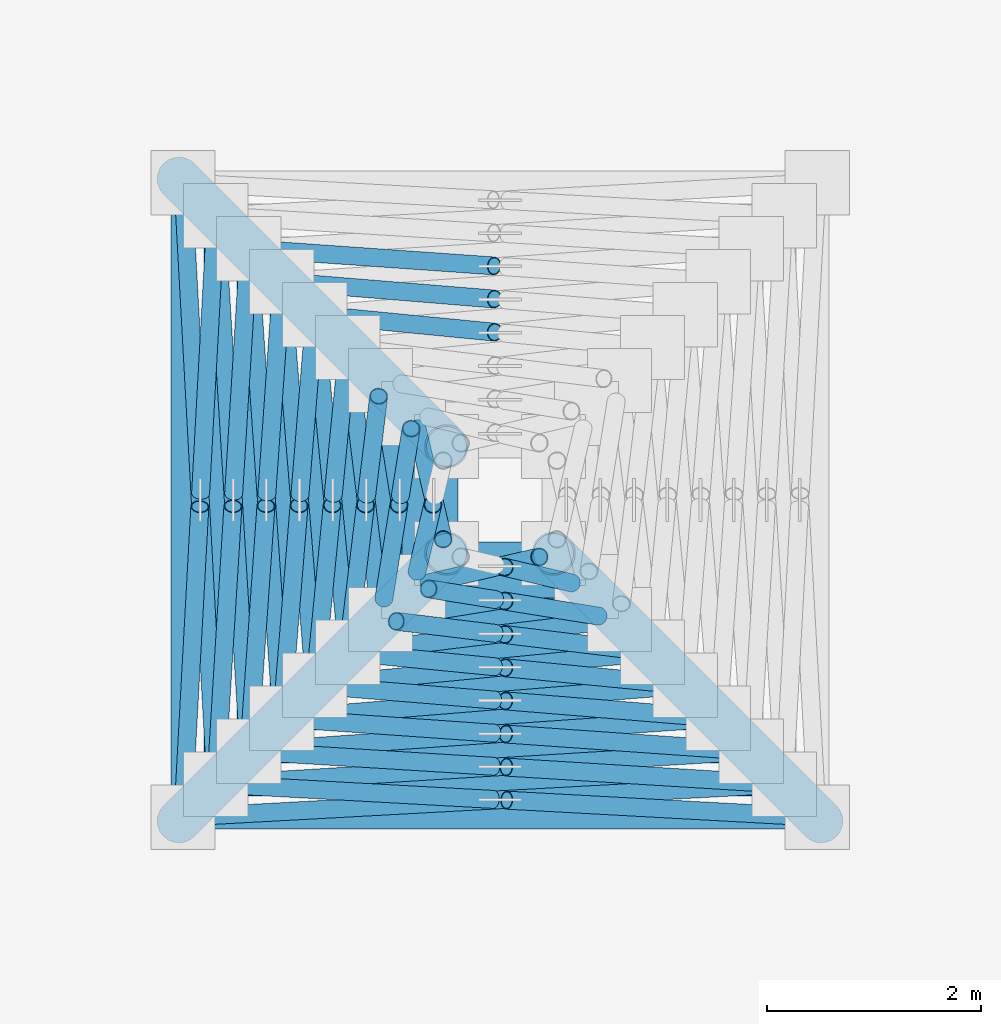
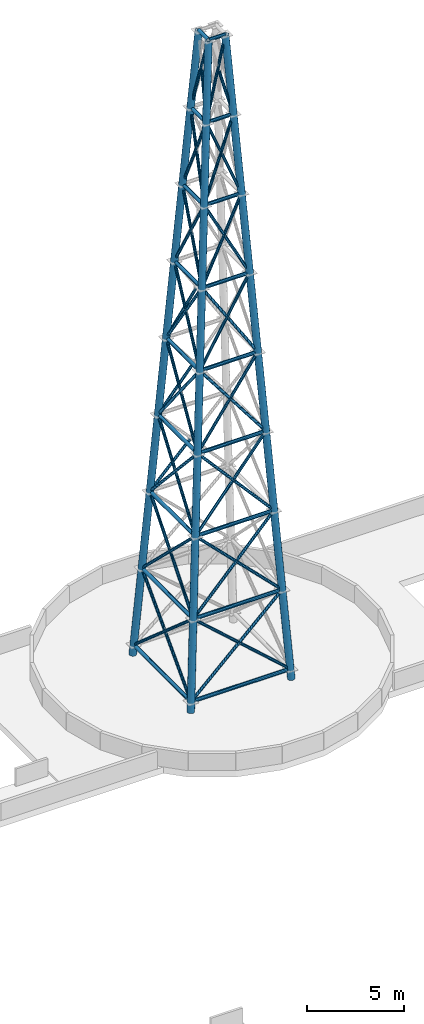
# One storey, part 1 of 6: 70 members.
"""IFC4 building model written with IfcOpenShell, lengths in metres."""

import ifcopenshell
import ifcopenshell.guid

model = None  # the IFC model being written
_history = None  # IfcOwnerHistory: only IFC2X3 demands one
_inside = {}  # id of a spatial element -> (the spatial element, [elements in it])
_under = {}  # id of a project, library or spatial element -> (it, [spatial elements below it])
_declared = {}  # id of a project -> (the project, [libraries it declares])
_typed = {}  # id of a type object -> (the type object, [elements of that type])
_made_of = {}  # id of a material, layer set ... -> (it, [elements and type objects made of it])


def new_model(schema):
    """Start an empty IFC model of exactly this schema.

    Asked for "IFC4X3", IfcOpenShell would pick the latest addendum, in which some entities
    have other attributes; the version numbers below select the first issue.
    IFC2X3 requires an IfcOwnerHistory on every rooted entity: one is made here for all.
    """
    global model, _history
    if schema == "IFC4X3":
        model = ifcopenshell.file(schema_version=(4, 3, 0, 0))
    else:
        model = ifcopenshell.file(schema=schema)
    _inside.clear()
    _under.clear()
    _declared.clear()
    _typed.clear()
    _made_of.clear()
    _history = None
    if model.schema == "IFC2X3":
        org = make("IfcOrganization", Name="unknown")
        user = make(
            "IfcPersonAndOrganization",
            ThePerson=make("IfcPerson", FamilyName="unknown"),
            TheOrganization=org,
        )
        app = make(
            "IfcApplication",
            ApplicationDeveloper=org,
            Version="unknown",
            ApplicationFullName="unknown",
            ApplicationIdentifier="unknown",
        )
        _history = make(
            "IfcOwnerHistory",
            OwningUser=user,
            OwningApplication=app,
            ChangeAction="ADDED",
            CreationDate=0,
        )
    return model


def make(cls, **values):
    """One entity of the class cls with the attributes given. An attribute that is None is left unset."""
    return model.create_entity(
        cls, **{name: value for name, value in values.items() if value is not None}
    )


def rooted(cls, **values):
    """An entity with a GlobalId (a new one), such as an element, a storey or a relation."""
    return make(cls, GlobalId=ifcopenshell.guid.new(), OwnerHistory=_history, **values)


def si_unit(unit_type, name, prefix=None):
    """IfcSIUnit, for example si_unit("LENGTHUNIT", "METRE", prefix="MILLI")."""
    return make("IfcSIUnit", UnitType=unit_type, Prefix=prefix, Name=name)


def assignment(units):
    """IfcUnitAssignment: the units of a project."""
    return None if units is None else make("IfcUnitAssignment", Units=units)


def point(xyz):
    """IfcCartesianPoint."""
    return None if xyz is None else make("IfcCartesianPoint", Coordinates=xyz)


def direction(xyz):
    """IfcDirection."""
    return None if xyz is None else make("IfcDirection", DirectionRatios=xyz)


def frame(location, z_axis=None, x_axis=None):
    """IfcAxis2Placement3D, a coordinate frame: its origin and axes. An axis left out is left unset."""
    return make(
        "IfcAxis2Placement3D",
        Location=point(location),
        Axis=direction(z_axis),
        RefDirection=direction(x_axis),
    )


def frame_2d(location, x_axis=None):
    """IfcAxis2Placement2D, a coordinate frame in the plane: its origin and x axis."""
    return make(
        "IfcAxis2Placement2D", Location=point(location), RefDirection=direction(x_axis)
    )


def origin():
    """The frame at (0, 0, 0) with its axes left unset."""
    return frame((0.0, 0.0, 0.0))


def origin_2d():
    """The frame at (0, 0) in the plane with its x axis left unset."""
    return frame_2d((0.0, 0.0))


def place(relative_to, where):
    """IfcLocalPlacement: puts the frame where relative to a parent placement (None: the world)."""
    return make(
        "IfcLocalPlacement", PlacementRelTo=relative_to, RelativePlacement=where
    )


def context(
    kind, dimensions, precision=None, world=None, true_north=None, identifier=None
):
    """IfcGeometricRepresentationContext, for example the 3D "Model" context."""
    return make(
        "IfcGeometricRepresentationContext",
        ContextIdentifier=identifier,
        ContextType=kind,
        CoordinateSpaceDimension=dimensions,
        Precision=precision,
        WorldCoordinateSystem=world,
        TrueNorth=true_north,
    )


def subcontext(parent, identifier, kind, view, scale=None):
    """IfcGeometricRepresentationSubContext, for example "Body" below "Model"."""
    return make(
        "IfcGeometricRepresentationSubContext",
        ContextIdentifier=identifier,
        ContextType=kind,
        ParentContext=parent,
        TargetScale=scale,
        TargetView=view,
    )


def project(units=None, contexts=None):
    """IfcProject with its units and contexts."""
    return rooted(
        "IfcProject",
        Name="project",
        RepresentationContexts=contexts,
        UnitsInContext=assignment(units),
    )


def spatial(cls, under=None, at=None, **own):
    """A site, building, storey or space (cls), placed at a placement, below another one or the project."""
    s = rooted(cls, ObjectPlacement=at, **own)
    if under is not None:
        _under.setdefault(under.id(), (under, []))[1].append(s)
    return s


def profile(cls, at=None, kind="AREA", **sizes):
    """A parametric profile (cls). Its sizes go by their IFC names, for example OverallWidth=200.0."""
    return make(cls, ProfileType=kind, Position=at, **sizes)


def hollow_circle(**sizes):
    """IfcCircleHollowProfileDef."""
    return profile("IfcCircleHollowProfileDef", **sizes)


def extrude(swept, where, along, depth):
    """IfcExtrudedAreaSolid: the profile swept, set in the frame where, extruded along a direction by depth."""
    return make(
        "IfcExtrudedAreaSolid",
        SweptArea=swept,
        Position=where,
        ExtrudedDirection=direction(along),
        Depth=depth,
    )


def shape(context_of_items, identifier, shape_type, items):
    """IfcShapeRepresentation: the items that make up one representation, for example the "Body"."""
    return make(
        "IfcShapeRepresentation",
        ContextOfItems=context_of_items,
        RepresentationIdentifier=identifier,
        RepresentationType=shape_type,
        Items=items,
    )


def source(mapping_origin, context_of_items, identifier, shape_type, items):
    """IfcRepresentationMap: a shape defined once, which mapped items show again and again."""
    return make(
        "IfcRepresentationMap",
        MappingOrigin=mapping_origin,
        MappedRepresentation=shape(context_of_items, identifier, shape_type, items),
    )


def transform(
    local_origin,
    x_axis=None,
    y_axis=None,
    z_axis=None,
    scale=None,
    scale2=None,
    scale3=None,
    uniform=True,
):
    """IfcCartesianTransformationOperator3D, or its non-uniform kind. x_axis, y_axis, z_axis: its Axis1, 2, 3."""
    if uniform:
        return make(
            "IfcCartesianTransformationOperator3D",
            Axis1=direction(x_axis),
            Axis2=direction(y_axis),
            LocalOrigin=point(local_origin),
            Scale=scale,
            Axis3=direction(z_axis),
        )
    return make(
        "IfcCartesianTransformationOperator3DnonUniform",
        Axis1=direction(x_axis),
        Axis2=direction(y_axis),
        LocalOrigin=point(local_origin),
        Scale=scale,
        Axis3=direction(z_axis),
        Scale2=scale2,
        Scale3=scale3,
    )


def mapped(mapping_source, mapping_target):
    """IfcMappedItem: shows the shape of a source again, moved by a transform."""
    return make(
        "IfcMappedItem", MappingSource=mapping_source, MappingTarget=mapping_target
    )


def material(Name=None, Category=None):
    """IfcMaterial."""
    return make("IfcMaterial", Name=Name, Category=Category)


def material_profile(
    of_material, cross_section, Name=None, Category=None, Priority=None
):
    """IfcMaterialProfile: a cross section and its material."""
    return make(
        "IfcMaterialProfile",
        Name=Name,
        Material=of_material,
        Profile=cross_section,
        Priority=Priority,
        Category=Category,
    )


def profile_set(profiles, Name=None, composite=None):
    """IfcMaterialProfileSet."""
    return make(
        "IfcMaterialProfileSet",
        Name=Name,
        MaterialProfiles=profiles,
        CompositeProfile=composite,
    )


def made_of(thing, what):
    """Note that an element or type object is made of a material, layer set ...; save() writes the relation."""
    if what is not None:
        _made_of.setdefault(what.id(), (what, []))[1].append(thing)
    return thing


def type_object(cls, material=None, **own):
    """A type object (cls), such as IfcWallType, which elements share."""
    return made_of(rooted(cls, **own), material)


def element(
    cls,
    number,
    at=None,
    inside=None,
    cuts=None,
    type_object=None,
    material=None,
    context=None,
    identifier="Body",
    shape_type=None,
    held_by="IfcProductDefinitionShape",
    body=None,
    shapes=None,
    **own,
):
    """One element of the class cls, such as IfcWall. Its Tag is "e" and its number.

    at: its placement. inside: the storey or other place that contains it. cuts: it is an
    opening in that element (IfcRelVoidsElement). A single representation is given by context,
    identifier, shape_type and body (its items); several are given by shapes. held_by: the class
    of the entity that holds the representations. save() writes the other relations.
    """
    e = rooted(cls, Tag="e%d" % number, ObjectPlacement=at, **own)
    if body is not None:
        shapes = [shape(context, identifier, shape_type, body)]
    if shapes is not None:
        e.Representation = make(held_by, Representations=shapes)
    if inside is not None:
        _inside.setdefault(inside.id(), (inside, []))[1].append(e)
    if cuts is not None:
        rooted(
            "IfcRelVoidsElement", RelatingBuildingElement=cuts, RelatedOpeningElement=e
        )
    if type_object is not None:
        _typed.setdefault(type_object.id(), (type_object, []))[1].append(e)
    return made_of(e, material)


def aggregate(whole, parts):
    """IfcRelAggregates: a whole, such as a stair, and the parts it consists of."""
    return rooted("IfcRelAggregates", RelatingObject=whole, RelatedObjects=parts)


def save(model, path):
    """Write the relations noted so far, then the file.

    IfcRelAggregates (storeys below a building ...), IfcRelContainedInSpatialStructure (elements
    in a storey), IfcRelDefinesByType, IfcRelAssociatesMaterial and IfcRelDeclares: one each for
    every whole, place, type object, material and project.
    """
    for whole, parts in _under.values():
        aggregate(whole, parts)
    for where, things in _inside.values():
        rooted(
            "IfcRelContainedInSpatialStructure",
            RelatedElements=things,
            RelatingStructure=where,
        )
    for kind, things in _typed.values():
        rooted("IfcRelDefinesByType", RelatedObjects=things, RelatingType=kind)
    for what, things in _made_of.values():
        rooted("IfcRelAssociatesMaterial", RelatedObjects=things, RelatingMaterial=what)
    for by, libraries in _declared.values():
        rooted("IfcRelDeclares", RelatingContext=by, RelatedDefinitions=libraries)
    model.write(path)


model = new_model("IFC4")

# Units and contexts
model_context = context("Model", 3, precision=1e-05, world=origin(), true_north=direction((0.0, 1.0)))
body_context = subcontext(model_context, "Body", "Model", "MODEL_VIEW")
ifc_project = project(units=[si_unit("LENGTHUNIT", "METRE"), si_unit("AREAUNIT", "SQUARE_METRE"), si_unit("VOLUMEUNIT", "CUBIC_METRE"), si_unit("PLANEANGLEUNIT", "RADIAN"), si_unit("MASSUNIT", "GRAM", prefix="KILO")], contexts=[model_context])

# Site, building, storey
site_placement = place(None, origin())
site = spatial("IfcSite", under=ifc_project, at=site_placement, CompositionType="ELEMENT")
building_placement = place(site_placement, origin())
building = spatial("IfcBuilding", under=site, at=building_placement, Name="Kilnfold Tower and Market Hall", CompositionType="ELEMENT")
storey_placement = place(building_placement, frame((0.0, 0.0, 328.800048828125)))
storey = spatial("IfcBuildingStorey", under=building, at=storey_placement, Name="ROOF", CompositionType="ELEMENT", Elevation=328.800048828125)

# Members
ifc_material_1 = material(Name="Steel S355", Category="steel")
ifc_material_profile_1 = material_profile(ifc_material_1, hollow_circle(Radius=0.203125, WallThickness=0.01611328125, at=origin_2d()), Name="CHS 406.4x16")
ifc_profile_set_1 = profile_set([ifc_material_profile_1], Name="Steel S355")
member_type_1 = type_object("IfcMemberType", Name="MAST LEG CHS 406.4X16", PredefinedType="USERDEFINED", material=ifc_profile_set_1)
shared_shape_1 = source(origin(), body_context, "Body", "SweptSolid", [
    extrude(hollow_circle(Radius=0.203125, WallThickness=0.01611328125, at=origin_2d()), origin(), (0.0, 0.0, 1.0), 40.156005859375),
])
for number, where, z_axis, x_axis, name in (
    (1, (-2.0, 12.0, 0.0), (0.062257280636, 0.062257280636, 0.996116490184), (-0.707106781187, 0.707106781187, 0.0), "Mast leg 1"),
    (2, (4.0, 12.0, 0.0), (-0.062257280636, 0.062257280636, 0.996116490184), (-0.707106781187, -0.707106781187, 0.0), "Mast leg 2"),
    (3, (-2.0, 18.0, 0.0), (0.062257280636, -0.062257280636, 0.996116490184), (0.707106781187, 0.707106781187, 0.0), "Mast leg 4"),
):
    element("IfcMember", number, at=place(storey_placement, frame(where, z_axis=z_axis, x_axis=x_axis)), inside=storey, type_object=member_type_1, Name=name, ObjectType="MAST", PredefinedType="USERDEFINED", context=body_context, shape_type="MappedRepresentation", body=[
        mapped(shared_shape_1, transform((0.0, 0.0, 0.0))),
    ])
ifc_material_2 = material(Name="Steel S355", Category="steel")
ifc_material_profile_2 = material_profile(ifc_material_2, hollow_circle(Radius=0.109619140625, WallThickness=0.010009765625, at=origin_2d()), Name="CHS 219.1x10")
ifc_profile_set_2 = profile_set([ifc_material_profile_2], Name="Steel S355")
member_type_2 = type_object("IfcMemberType", Name="CROWN FRAME CHS 219.1X10", PredefinedType="USERDEFINED", material=ifc_profile_set_2)
shared_shape_2 = source(origin(), body_context, "Body", "SweptSolid", [
    extrude(hollow_circle(Radius=0.109619140625, WallThickness=0.010009765625, at=origin_2d()), origin(), (0.0, 0.0, 1.0), 5.5224609375),
])
for number, where, z_axis, x_axis, name in (
    (4, (-1.76123046875, 12.03759765625, 0.599853515625), (1.0, 0.0, 0.0), (0.0, 1.0, 0.0), "Crown frame ring 0 1"),
    (5, (-1.96240234375, 17.76123046875, 0.599853515625), (0.0, -1.0, 0.0), (1.0, 0.0, 0.0), "Crown frame ring 0 4"),
):
    element("IfcMember", number, at=place(storey_placement, frame(where, z_axis=z_axis, x_axis=x_axis)), inside=storey, type_object=member_type_2, Name=name, ObjectType="CROWN FRAME", PredefinedType="USERDEFINED", context=body_context, shape_type="MappedRepresentation", body=[
        mapped(shared_shape_2, transform((0.0, 0.0, 0.0))),
    ])
ifc_material_3 = material(Name="Steel S355", Category="steel")
ifc_material_profile_3 = material_profile(ifc_material_3, hollow_circle(Radius=0.109619140625, WallThickness=0.010009765625, at=origin_2d()), Name="CHS 219.1x10")
ifc_profile_set_3 = profile_set([ifc_material_profile_3], Name="Steel S355")
member_type_3 = type_object("IfcMemberType", Name="MAST RING CHS 219.1X10", PredefinedType="USERDEFINED", material=ifc_profile_set_3)
shared_shape_3 = source(origin(), body_context, "Body", "SweptSolid", [
    extrude(hollow_circle(Radius=0.109619140625, WallThickness=0.010009765625, at=origin_2d()), origin(), (0.0, 0.0, 1.0), 4.9072265625),
])
for number, where, z_axis, x_axis, name in (
    (6, (-1.45361328125, 12.34521484375, 5.52490234375), (1.0, 0.0, 0.0), (0.0, 1.0, 0.0), "Mast ring 1 1"),
    (7, (-1.65478515625, 17.45361328125, 5.52490234375), (0.0, -1.0, 0.0), (1.0, 0.0, 0.0), "Mast ring 1 4"),
):
    element("IfcMember", number, at=place(storey_placement, frame(where, z_axis=z_axis, x_axis=x_axis)), inside=storey, type_object=member_type_3, Name=name, ObjectType="MAST", PredefinedType="USERDEFINED", context=body_context, shape_type="MappedRepresentation", body=[
        mapped(shared_shape_3, transform((0.0, 0.0, 0.0))),
    ])
shared_shape_4 = source(origin(), body_context, "Body", "SweptSolid", [
    extrude(hollow_circle(Radius=0.109619140625, WallThickness=0.010009765625, at=origin_2d()), origin(), (0.0, 0.0, 1.0), 4.29150390625),
])
for number, where, z_axis, x_axis, name in (
    (8, (-1.145751953125, 12.653076171875, 10.449951171875), (1.0, 0.0, 0.0), (0.0, 1.0, 0.0), "Mast ring 2 1"),
    (9, (-1.346923828125, 17.145751953125, 10.449951171875), (0.0, -1.0, 0.0), (1.0, 0.0, 0.0), "Mast ring 2 4"),
):
    element("IfcMember", number, at=place(storey_placement, frame(where, z_axis=z_axis, x_axis=x_axis)), inside=storey, type_object=member_type_3, Name=name, ObjectType="MAST", PredefinedType="USERDEFINED", context=body_context, shape_type="MappedRepresentation", body=[
        mapped(shared_shape_4, transform((0.0, 0.0, 0.0))),
    ])
shared_shape_5 = source(origin(), body_context, "Body", "SweptSolid", [
    extrude(hollow_circle(Radius=0.109619140625, WallThickness=0.010009765625, at=origin_2d()), origin(), (0.0, 0.0, 1.0), 3.67578125),
])
for number, where, z_axis, x_axis, name in (
    (10, (-0.837890625, 12.9609375, 15.375), (1.0, 0.0, 0.0), (0.0, 1.0, 0.0), "Mast ring 3 1"),
    (11, (-1.0390625, 16.837890625, 15.375), (0.0, -1.0, 0.0), (1.0, 0.0, 0.0), "Mast ring 3 4"),
):
    element("IfcMember", number, at=place(storey_placement, frame(where, z_axis=z_axis, x_axis=x_axis)), inside=storey, type_object=member_type_3, Name=name, ObjectType="MAST", PredefinedType="USERDEFINED", context=body_context, shape_type="MappedRepresentation", body=[
        mapped(shared_shape_5, transform((0.0, 0.0, 0.0))),
    ])
shared_shape_6 = source(origin(), body_context, "Body", "SweptSolid", [
    extrude(hollow_circle(Radius=0.109619140625, WallThickness=0.010009765625, at=origin_2d()), origin(), (0.0, 0.0, 1.0), 3.06005859375),
])
for number, where, z_axis, x_axis, name in (
    (12, (-0.530029296875, 13.268798828125, 20.300048828125), (1.0, 0.0, 0.0), (0.0, 1.0, 0.0), "Mast ring 4 1"),
    (13, (-0.731201171875, 16.530029296875, 20.300048828125), (0.0, -1.0, 0.0), (1.0, 0.0, 0.0), "Mast ring 4 4"),
):
    element("IfcMember", number, at=place(storey_placement, frame(where, z_axis=z_axis, x_axis=x_axis)), inside=storey, type_object=member_type_3, Name=name, ObjectType="MAST", PredefinedType="USERDEFINED", context=body_context, shape_type="MappedRepresentation", body=[
        mapped(shared_shape_6, transform((0.0, 0.0, 0.0))),
    ])
shared_shape_7 = source(origin(), body_context, "Body", "SweptSolid", [
    extrude(hollow_circle(Radius=0.109619140625, WallThickness=0.010009765625, at=origin_2d()), origin(), (0.0, 0.0, 1.0), 2.4443359375),
])
for number, where, z_axis, x_axis, name in (
    (14, (-0.22216796875, 13.57666015625, 25.224853515625), (1.0, 0.0, 0.0), (0.0, 1.0, 0.0), "Mast ring 5 1"),
    (15, (-0.42333984375, 16.22216796875, 25.224853515625), (0.0, -1.0, 0.0), (1.0, 0.0, 0.0), "Mast ring 5 4"),
):
    element("IfcMember", number, at=place(storey_placement, frame(where, z_axis=z_axis, x_axis=x_axis)), inside=storey, type_object=member_type_3, Name=name, ObjectType="MAST", PredefinedType="USERDEFINED", context=body_context, shape_type="MappedRepresentation", body=[
        mapped(shared_shape_7, transform((0.0, 0.0, 0.0))),
    ])
shared_shape_8 = source(origin(), body_context, "Body", "SweptSolid", [
    extrude(hollow_circle(Radius=0.109619140625, WallThickness=0.010009765625, at=origin_2d()), origin(), (0.0, 0.0, 1.0), 1.82861328125),
])
for number, where, z_axis, x_axis, name in (
    (16, (0.085693359375, 13.884521484375, 30.14990234375), (1.0, 0.0, 0.0), (0.0, 1.0, 0.0), "Mast ring 6 1"),
    (17, (-0.115478515625, 15.914306640625, 30.14990234375), (0.0, -1.0, 0.0), (1.0, 0.0, 0.0), "Mast ring 6 4"),
):
    element("IfcMember", number, at=place(storey_placement, frame(where, z_axis=z_axis, x_axis=x_axis)), inside=storey, type_object=member_type_3, Name=name, ObjectType="MAST", PredefinedType="USERDEFINED", context=body_context, shape_type="MappedRepresentation", body=[
        mapped(shared_shape_8, transform((0.0, 0.0, 0.0))),
    ])
shared_shape_9 = source(origin(), body_context, "Body", "SweptSolid", [
    extrude(hollow_circle(Radius=0.109619140625, WallThickness=0.010009765625, at=origin_2d()), origin(), (0.0, 0.0, 1.0), 1.21337890625),
])
for number, where, z_axis, x_axis, name in (
    (18, (0.393310546875, 14.192138671875, 35.074951171875), (1.0, 0.0, 0.0), (0.0, 1.0, 0.0), "Mast ring 7 1"),
    (19, (0.192138671875, 15.606689453125, 35.074951171875), (0.0, -1.0, 0.0), (1.0, 0.0, 0.0), "Mast ring 7 4"),
):
    element("IfcMember", number, at=place(storey_placement, frame(where, z_axis=z_axis, x_axis=x_axis)), inside=storey, type_object=member_type_3, Name=name, ObjectType="MAST", PredefinedType="USERDEFINED", context=body_context, shape_type="MappedRepresentation", body=[
        mapped(shared_shape_9, transform((0.0, 0.0, 0.0))),
    ])
shared_shape_10 = source(origin(), body_context, "Body", "SweptSolid", [
    extrude(hollow_circle(Radius=0.109619140625, WallThickness=0.010009765625, at=origin_2d()), origin(), (0.0, 0.0, 1.0), 1.0),
])
for number, where, z_axis, x_axis, name in (
    (20, (0.5, 14.5, 40.0), (1.0, 0.0, 0.0), (0.0, 1.0, 0.0), "Mast ring 8 1"),
    (21, (0.5, 15.5, 40.0), (0.0, -1.0, 0.0), (1.0, 0.0, 0.0), "Mast ring 8 4"),
):
    element("IfcMember", number, at=place(storey_placement, frame(where, z_axis=z_axis, x_axis=x_axis)), inside=storey, type_object=member_type_3, Name=name, ObjectType="MAST", PredefinedType="USERDEFINED", context=body_context, shape_type="MappedRepresentation", body=[
        mapped(shared_shape_10, transform((0.0, 0.0, 0.0))),
    ])
ifc_material_4 = material(Name="Steel S355", Category="steel")
ifc_material_profile_4 = material_profile(ifc_material_4, hollow_circle(Radius=0.084228515625, WallThickness=0.008056640625, at=origin_2d()), Name="CHS 168.3x8")
ifc_profile_set_4 = profile_set([ifc_material_profile_4], Name="Steel S355")
member_type_4 = type_object("IfcMemberType", Name="MAST BRACE CHS 168.3X8", PredefinedType="USERDEFINED", material=ifc_profile_set_4)
shared_shape_11 = source(origin(), body_context, "Body", "SweptSolid", [
    extrude(hollow_circle(Radius=0.084228515625, WallThickness=0.008056640625, at=origin_2d()), origin(), (0.0, 0.0, 1.0), 7.040283203125),
])
for number, where, z_axis, x_axis, name in (
    (22, (-1.78955078125, 12.047119140625, 0.751708984375), (0.751283318633, 0.041161933959, 0.658694975187), (-0.054706781594, 0.998502462715, 0.0), "Mast brace 1.1"),
    (23, (-1.952880859375, 17.78955078125, 0.751708984375), (0.041161933959, -0.751283318633, 0.658694975187), (0.998502462715, 0.054706781594, 0.0), "Mast brace 1.4"),
):
    element("IfcMember", number, at=place(storey_placement, frame(where, z_axis=z_axis, x_axis=x_axis)), inside=storey, type_object=member_type_4, Name=name, ObjectType="MAST", PredefinedType="USERDEFINED", context=body_context, shape_type="MappedRepresentation", body=[
        mapped(shared_shape_11, transform((0.0, 0.0, 0.0))),
    ])
shared_shape_12 = source(origin(), body_context, "Body", "SweptSolid", [
    extrude(hollow_circle(Radius=0.084228515625, WallThickness=0.008056640625, at=origin_2d()), origin(), (0.0, 0.0, 1.0), 3.630126953125),
])
for number, where, z_axis, x_axis, name in (
    (24, (3.78955078125, 12.047119140625, 0.751708984375), (-0.751294916807, 0.041092220407, 0.658686099293), (-0.054613563925, -0.998507565638, 0.0), "Mast brace 1.1 lower half"),
    (25, (-1.952880859375, 12.21044921875, 0.751708984375), (0.041092220407, 0.751294916807, 0.658686099293), (-0.998507565638, 0.054613563925, 0.0), "Mast brace 1.4 lower half"),
):
    element("IfcMember", number, at=place(storey_placement, frame(where, z_axis=z_axis, x_axis=x_axis)), inside=storey, type_object=member_type_4, Name=name, ObjectType="MAST", PredefinedType="USERDEFINED", context=body_context, shape_type="MappedRepresentation", body=[
        mapped(shared_shape_12, transform((0.0, 0.0, 0.0))),
    ])
shared_shape_13 = source(origin(), body_context, "Body", "SweptSolid", [
    extrude(hollow_circle(Radius=0.084228515625, WallThickness=0.008056640625, at=origin_2d()), origin(), (0.0, 0.0, 1.0), 3.24462890625),
])
for number, where, z_axis, x_axis, name in (
    (26, (0.937744140625, 12.203369140625, 3.251953125), (-0.751267309401, 0.041160178109, 0.658713344), (-0.054705617188, -0.998502526511, 0.0), "Mast brace 1.1 upper half"),
    (27, (-1.796630859375, 15.062255859375, 3.251953125), (0.041160178109, 0.751267309401, 0.658713344), (-0.998502526511, 0.054705617188, 0.0), "Mast brace 1.4 upper half"),
):
    element("IfcMember", number, at=place(storey_placement, frame(where, z_axis=z_axis, x_axis=x_axis)), inside=storey, type_object=member_type_4, Name=name, ObjectType="MAST", PredefinedType="USERDEFINED", context=body_context, shape_type="MappedRepresentation", body=[
        mapped(shared_shape_13, transform((0.0, 0.0, 0.0))),
    ])
shared_shape_14 = source(origin(), body_context, "Body", "SweptSolid", [
    extrude(hollow_circle(Radius=0.084228515625, WallThickness=0.008056640625, at=origin_2d()), origin(), (0.0, 0.0, 1.0), 6.56494140625),
])
for number, where, z_axis, x_axis, name in (
    (28, (-1.48046875, 12.35595703125, 5.696533203125), (0.711855000061, 0.043807605792, 0.700958880793), (-0.06142386725, 0.998111771563, 0.0), "Mast brace 2.1"),
    (29, (-1.64404296875, 17.48046875, 5.696533203125), (0.043807605792, -0.711855000061, 0.700958880793), (0.998111771563, 0.06142386725, 0.0), "Mast brace 2.4"),
):
    element("IfcMember", number, at=place(storey_placement, frame(where, z_axis=z_axis, x_axis=x_axis)), inside=storey, type_object=member_type_4, Name=name, ObjectType="MAST", PredefinedType="USERDEFINED", context=body_context, shape_type="MappedRepresentation", body=[
        mapped(shared_shape_14, transform((0.0, 0.0, 0.0))),
    ])
shared_shape_15 = source(origin(), body_context, "Body", "SweptSolid", [
    extrude(hollow_circle(Radius=0.084228515625, WallThickness=0.008056640625, at=origin_2d()), origin(), (0.0, 0.0, 1.0), 3.40234375),
])
for number, where, z_axis, x_axis, name in (
    (30, (3.48046875, 12.35595703125, 5.696533203125), (-0.71182368101, 0.043843172288, 0.700988461672), (-0.061476242161, -0.998108547028, 0.0), "Mast brace 2.1 lower half"),
    (31, (-1.64404296875, 12.51953125, 5.696533203125), (0.043843172288, 0.71182368101, 0.700988461672), (-0.998108547028, 0.061476242161, 0.0), "Mast brace 2.4 lower half"),
):
    element("IfcMember", number, at=place(storey_placement, frame(where, z_axis=z_axis, x_axis=x_axis)), inside=storey, type_object=member_type_4, Name=name, ObjectType="MAST", PredefinedType="USERDEFINED", context=body_context, shape_type="MappedRepresentation", body=[
        mapped(shared_shape_15, transform((0.0, 0.0, 0.0))),
    ])
shared_shape_16 = source(origin(), body_context, "Body", "SweptSolid", [
    extrude(hollow_circle(Radius=0.084228515625, WallThickness=0.008056640625, at=origin_2d()), origin(), (0.0, 0.0, 1.0), 2.998291015625),
])
for number, where, z_axis, x_axis, name in (
    (32, (0.94140625, 12.51220703125, 8.196533203125), (-0.71182201489, 0.043806937087, 0.700992418919), (-0.061425768719, -0.998111654544, 0.0), "Mast brace 2.1 upper half"),
    (33, (-1.48779296875, 15.05859375, 8.196533203125), (0.043806937087, 0.71182201489, 0.700992418919), (-0.998111654544, 0.061425768719, 0.0), "Mast brace 2.4 upper half"),
):
    element("IfcMember", number, at=place(storey_placement, frame(where, z_axis=z_axis, x_axis=x_axis)), inside=storey, type_object=member_type_4, Name=name, ObjectType="MAST", PredefinedType="USERDEFINED", context=body_context, shape_type="MappedRepresentation", body=[
        mapped(shared_shape_16, transform((0.0, 0.0, 0.0))),
    ])
shared_shape_17 = source(origin(), body_context, "Body", "SweptSolid", [
    extrude(hollow_circle(Radius=0.084228515625, WallThickness=0.008056640625, at=origin_2d()), origin(), (0.0, 0.0, 1.0), 6.107177734375),
])
for number, where, z_axis, x_axis, name in (
    (34, (-1.1708984375, 12.66552734375, 10.6474609375), (0.664321313731, 0.046612026225, 0.745992299647), (-0.069992801834, 0.997547496459, 0.0), "Mast brace 3.1"),
    (35, (-1.33447265625, 17.1708984375, 10.6474609375), (0.046612026225, -0.664321313731, 0.745992299647), (0.997547496459, 0.069992801834, 0.0), "Mast brace 3.4"),
):
    element("IfcMember", number, at=place(storey_placement, frame(where, z_axis=z_axis, x_axis=x_axis)), inside=storey, type_object=member_type_4, Name=name, ObjectType="MAST", PredefinedType="USERDEFINED", context=body_context, shape_type="MappedRepresentation", body=[
        mapped(shared_shape_17, transform((0.0, 0.0, 0.0))),
    ])
shared_shape_18 = source(origin(), body_context, "Body", "SweptSolid", [
    extrude(hollow_circle(Radius=0.084228515625, WallThickness=0.008056640625, at=origin_2d()), origin(), (0.0, 0.0, 1.0), 3.18505859375),
])
for number, where, z_axis, x_axis, name in (
    (36, (3.1708984375, 12.66552734375, 10.6474609375), (-0.664341051246, 0.04660428743, 0.745975206037), (-0.069979169189, -0.997548452898, 0.0), "Mast brace 3.1 lower half"),
    (37, (-1.1708984375, 17.33447265625, 10.6474609375), (0.664341051246, -0.04660428743, 0.745975206037), (0.069979169189, 0.997548452898, 0.0), "Mast brace 3.3 lower half"),
    (38, (-1.33447265625, 12.8291015625, 10.6474609375), (0.04660428743, 0.664341051246, 0.745975206037), (-0.997548452898, 0.069979169189, 0.0), "Mast brace 3.4 lower half"),
):
    element("IfcMember", number, at=place(storey_placement, frame(where, z_axis=z_axis, x_axis=x_axis)), inside=storey, type_object=member_type_4, Name=name, ObjectType="MAST", PredefinedType="USERDEFINED", context=body_context, shape_type="MappedRepresentation", body=[
        mapped(shared_shape_18, transform((0.0, 0.0, 0.0))),
    ])
shared_shape_19 = source(origin(), body_context, "Body", "SweptSolid", [
    extrude(hollow_circle(Radius=0.084228515625, WallThickness=0.008056640625, at=origin_2d()), origin(), (0.0, 0.0, 1.0), 2.756591796875),
])
for number, where, z_axis, x_axis, name in (
    (39, (0.945068359375, 12.82177734375, 13.14697265625), (-0.664329410108, 0.046585424572, 0.745986751278), (-0.069952203845, -0.997550344182, 0.0), "Mast brace 3.1 upper half"),
    (40, (-1.17822265625, 15.054931640625, 13.14697265625), (0.046585424572, 0.664329410108, 0.745986751278), (-0.997550344182, 0.069952203845, 0.0), "Mast brace 3.4 upper half"),
):
    element("IfcMember", number, at=place(storey_placement, frame(where, z_axis=z_axis, x_axis=x_axis)), inside=storey, type_object=member_type_4, Name=name, ObjectType="MAST", PredefinedType="USERDEFINED", context=body_context, shape_type="MappedRepresentation", body=[
        mapped(shared_shape_19, transform((0.0, 0.0, 0.0))),
    ])
shared_shape_20 = source(origin(), body_context, "Body", "SweptSolid", [
    extrude(hollow_circle(Radius=0.084228515625, WallThickness=0.008056640625, at=origin_2d()), origin(), (0.0, 0.0, 1.0), 5.667724609375),
])
for number, where, z_axis, x_axis, name in (
    (41, (-0.861083984375, 12.9755859375, 15.607666015625), (0.607139159327, 0.049536008033, 0.793049951214), (-0.081319002801, 0.996688125636, 0.0), "Mast brace 4.1"),
    (42, (-1.0244140625, 16.861083984375, 15.607666015625), (0.049536008033, -0.607139159327, 0.793049951214), (0.996688125636, 0.081319002801, 0.0), "Mast brace 4.4"),
):
    element("IfcMember", number, at=place(storey_placement, frame(where, z_axis=z_axis, x_axis=x_axis)), inside=storey, type_object=member_type_4, Name=name, ObjectType="MAST", PredefinedType="USERDEFINED", context=body_context, shape_type="MappedRepresentation", body=[
        mapped(shared_shape_20, transform((0.0, 0.0, 0.0))),
    ])
shared_shape_21 = source(origin(), body_context, "Body", "SweptSolid", [
    extrude(hollow_circle(Radius=0.084228515625, WallThickness=0.008056640625, at=origin_2d()), origin(), (0.0, 0.0, 1.0), 2.97998046875),
])
for number, where, z_axis, x_axis, name in (
    (43, (2.861083984375, 12.9755859375, 15.607666015625), (-0.607150408364, 0.049564970592, 0.793039529478), (-0.081364735922, -0.99668439325, 0.0), "Mast brace 4.1 lower half"),
    (44, (-0.861083984375, 17.0244140625, 15.607666015625), (0.607150408364, -0.049564970592, 0.793039529478), (0.081364735922, 0.99668439325, 0.0), "Mast brace 4.3 lower half"),
    (45, (-1.0244140625, 13.138916015625, 15.607666015625), (0.049564970592, 0.607150408364, 0.793039529478), (-0.99668439325, 0.081364735922, 0.0), "Mast brace 4.4 lower half"),
):
    element("IfcMember", number, at=place(storey_placement, frame(where, z_axis=z_axis, x_axis=x_axis)), inside=storey, type_object=member_type_4, Name=name, ObjectType="MAST", PredefinedType="USERDEFINED", context=body_context, shape_type="MappedRepresentation", body=[
        mapped(shared_shape_21, transform((0.0, 0.0, 0.0))),
    ])
shared_shape_22 = source(origin(), body_context, "Body", "SweptSolid", [
    extrude(hollow_circle(Radius=0.084228515625, WallThickness=0.008056640625, at=origin_2d()), origin(), (0.0, 0.0, 1.0), 2.517578125),
])
for number, where, z_axis, x_axis, name in (
    (46, (0.9482421875, 13.131591796875, 18.10595703125), (-0.607085253367, 0.049556000714, 0.793089968376), (-0.081358781682, -0.996684879309, 0.0), "Mast brace 4.1 upper half"),
    (47, (-0.868408203125, 15.0517578125, 18.10595703125), (0.049556000714, 0.607085253367, 0.793089968376), (-0.996684879309, 0.081358781682, 0.0), "Mast brace 4.4 upper half"),
):
    element("IfcMember", number, at=place(storey_placement, frame(where, z_axis=z_axis, x_axis=x_axis)), inside=storey, type_object=member_type_4, Name=name, ObjectType="MAST", PredefinedType="USERDEFINED", context=body_context, shape_type="MappedRepresentation", body=[
        mapped(shared_shape_22, transform((0.0, 0.0, 0.0))),
    ])
shared_shape_23 = source(origin(), body_context, "Body", "SweptSolid", [
    extrude(hollow_circle(Radius=0.084228515625, WallThickness=0.008056640625, at=origin_2d()), origin(), (0.0, 0.0, 1.0), 5.243896484375),
])
for number, where, z_axis, x_axis, name in (
    (48, (-0.550048828125, 13.286376953125, 20.582763671875), (0.53861631147, 0.052562694758, 0.840910002401), (-0.097126984622, 0.995271997425, 0.0), "Mast brace 5.1"),
    (49, (-0.713623046875, 16.550048828125, 20.582763671875), (0.052562694758, -0.53861631147, 0.840910002401), (0.995271997425, 0.097126984622, 0.0), "Mast brace 5.4"),
):
    element("IfcMember", number, at=place(storey_placement, frame(where, z_axis=z_axis, x_axis=x_axis)), inside=storey, type_object=member_type_4, Name=name, ObjectType="MAST", PredefinedType="USERDEFINED", context=body_context, shape_type="MappedRepresentation", body=[
        mapped(shared_shape_23, transform((0.0, 0.0, 0.0))),
    ])
shared_shape_24 = source(origin(), body_context, "Body", "SweptSolid", [
    extrude(hollow_circle(Radius=0.084228515625, WallThickness=0.008056640625, at=origin_2d()), origin(), (0.0, 0.0, 1.0), 2.787353515625),
])
for number, where, z_axis, x_axis, name in (
    (50, (2.550048828125, 13.286376953125, 20.582763671875), (-0.538579689355, 0.052552905125, 0.840934070173), (-0.097115606544, -0.995273107728, 0.0), "Mast brace 5.1 lower half"),
    (51, (-0.550048828125, 16.713623046875, 20.582763671875), (0.538579689355, -0.052552905125, 0.840934070173), (0.097115606544, 0.995273107728, 0.0), "Mast brace 5.3 lower half"),
    (52, (-0.713623046875, 13.449951171875, 20.582763671875), (0.052552905125, 0.538579689355, 0.840934070173), (-0.995273107728, 0.097115606544, 0.0), "Mast brace 5.4 lower half"),
):
    element("IfcMember", number, at=place(storey_placement, frame(where, z_axis=z_axis, x_axis=x_axis)), inside=storey, type_object=member_type_4, Name=name, ObjectType="MAST", PredefinedType="USERDEFINED", context=body_context, shape_type="MappedRepresentation", body=[
        mapped(shared_shape_24, transform((0.0, 0.0, 0.0))),
    ])
shared_shape_25 = source(origin(), body_context, "Body", "SweptSolid", [
    extrude(hollow_circle(Radius=0.084228515625, WallThickness=0.008056640625, at=origin_2d()), origin(), (0.0, 0.0, 1.0), 2.275634765625),
])
for number, where, z_axis, x_axis, name in (
    (53, (0.951171875, 13.4423828125, 23.078857421875), (-0.538588341456, 0.052571371975, 0.840927374567), (-0.097147864579, -0.995269959563, 0.0), "Mast brace 5.1 upper half"),
    (54, (-0.5576171875, 15.048828125, 23.078857421875), (0.052571371975, 0.538588341456, 0.840927374567), (-0.995269959563, 0.097147864579, 0.0), "Mast brace 5.4 upper half"),
):
    element("IfcMember", number, at=place(storey_placement, frame(where, z_axis=z_axis, x_axis=x_axis)), inside=storey, type_object=member_type_4, Name=name, ObjectType="MAST", PredefinedType="USERDEFINED", context=body_context, shape_type="MappedRepresentation", body=[
        mapped(shared_shape_25, transform((0.0, 0.0, 0.0))),
    ])
shared_shape_26 = source(origin(), body_context, "Body", "SweptSolid", [
    extrude(hollow_circle(Radius=0.084228515625, WallThickness=0.008056640625, at=origin_2d()), origin(), (0.0, 0.0, 1.0), 4.823974609375),
])
for number, where, z_axis, x_axis, name in (
    (55, (-0.2373046875, 13.59912109375, 25.5859375), (0.457524188495, 0.055469746747, 0.887465336865), (-0.1203576039, 0.992730601515, 0.0), "Mast brace 6.1"),
    (56, (-0.40087890625, 16.2373046875, 25.5859375), (0.055469746747, -0.457524188495, 0.887465336865), (0.992730601515, 0.1203576039, 0.0), "Mast brace 6.4"),
):
    element("IfcMember", number, at=place(storey_placement, frame(where, z_axis=z_axis, x_axis=x_axis)), inside=storey, type_object=member_type_4, Name=name, ObjectType="MAST", PredefinedType="USERDEFINED", context=body_context, shape_type="MappedRepresentation", body=[
        mapped(shared_shape_26, transform((0.0, 0.0, 0.0))),
    ])
shared_shape_27 = source(origin(), body_context, "Body", "SweptSolid", [
    extrude(hollow_circle(Radius=0.084228515625, WallThickness=0.008056640625, at=origin_2d()), origin(), (0.0, 0.0, 1.0), 2.603271484375),
])
for number, where, z_axis, x_axis, name in (
    (57, (2.2373046875, 13.59912109375, 25.5859375), (-0.457558060464, 0.055424639011, 0.88745069198), (-0.120252371851, -0.992743354077, 0.0), "Mast brace 6.1 lower half"),
    (58, (-0.40087890625, 13.7626953125, 25.5859375), (0.055424639011, 0.457558060464, 0.88745069198), (-0.992743354077, 0.120252371851, 0.0), "Mast brace 6.4 lower half"),
):
    element("IfcMember", number, at=place(storey_placement, frame(where, z_axis=z_axis, x_axis=x_axis)), inside=storey, type_object=member_type_4, Name=name, ObjectType="MAST", PredefinedType="USERDEFINED", context=body_context, shape_type="MappedRepresentation", body=[
        mapped(shared_shape_27, transform((0.0, 0.0, 0.0))),
    ])
shared_shape_28 = source(origin(), body_context, "Body", "SweptSolid", [
    extrude(hollow_circle(Radius=0.084228515625, WallThickness=0.008056640625, at=origin_2d()), origin(), (0.0, 0.0, 1.0), 2.0185546875),
])
for number, where, z_axis, x_axis, name in (
    (59, (0.953857421875, 13.754638671875, 28.075439453125), (-0.457519763548, 0.055511914213, 0.887464981474), (-0.12044891952, -0.992719526244, 0.0), "Mast brace 6.1 upper half"),
    (60, (-0.245361328125, 15.046142578125, 28.075439453125), (0.055511914213, 0.457519763548, 0.887464981474), (-0.992719526244, 0.12044891952, 0.0), "Mast brace 6.4 upper half"),
):
    element("IfcMember", number, at=place(storey_placement, frame(where, z_axis=z_axis, x_axis=x_axis)), inside=storey, type_object=member_type_4, Name=name, ObjectType="MAST", PredefinedType="USERDEFINED", context=body_context, shape_type="MappedRepresentation", body=[
        mapped(shared_shape_28, transform((0.0, 0.0, 0.0))),
    ])
shared_shape_29 = source(origin(), body_context, "Body", "SweptSolid", [
    extrude(hollow_circle(Radius=0.084228515625, WallThickness=0.008056640625, at=origin_2d()), origin(), (0.0, 0.0, 1.0), 4.3720703125),
])
for number, where, z_axis, x_axis, name in (
    (61, (0.0791015625, 13.91552734375, 30.6484375), (0.363183043798, 0.05812938939, 0.929902710388), (-0.158043791549, 0.987432103971, 0.0), "Mast brace 7.1"),
    (62, (-0.08447265625, 15.9208984375, 30.6484375), (0.05812938939, -0.363183043798, 0.929902710388), (0.987432103971, 0.158043791549, 0.0), "Mast brace 7.4"),
):
    element("IfcMember", number, at=place(storey_placement, frame(where, z_axis=z_axis, x_axis=x_axis)), inside=storey, type_object=member_type_4, Name=name, ObjectType="MAST", PredefinedType="USERDEFINED", context=body_context, shape_type="MappedRepresentation", body=[
        mapped(shared_shape_29, transform((0.0, 0.0, 0.0))),
    ])
shared_shape_30 = source(origin(), body_context, "Body", "SweptSolid", [
    extrude(hollow_circle(Radius=0.084228515625, WallThickness=0.008056640625, at=origin_2d()), origin(), (0.0, 0.0, 1.0), 2.414306640625),
])
for number, where, z_axis, x_axis, name in (
    (63, (1.9208984375, 13.91552734375, 30.6484375), (-0.363130749483, 0.058145413799, 0.929922130952), (-0.158108467363, -0.987421750089, 0.0), "Mast brace 7.1 lower half"),
    (64, (-0.08447265625, 14.0791015625, 30.6484375), (0.058145413799, 0.363130749483, 0.929922130952), (-0.987421750089, 0.158108467363, 0.0), "Mast brace 7.4 lower half"),
):
    element("IfcMember", number, at=place(storey_placement, frame(where, z_axis=z_axis, x_axis=x_axis)), inside=storey, type_object=member_type_4, Name=name, ObjectType="MAST", PredefinedType="USERDEFINED", context=body_context, shape_type="MappedRepresentation", body=[
        mapped(shared_shape_30, transform((0.0, 0.0, 0.0))),
    ])
shared_shape_31 = source(origin(), body_context, "Body", "SweptSolid", [
    extrude(hollow_circle(Radius=0.084228515625, WallThickness=0.008056640625, at=origin_2d()), origin(), (0.0, 0.0, 1.0), 1.71484375),
])
for number, where, z_axis, x_axis, name in (
    (65, (0.955810546875, 14.070068359375, 33.119384765625), (-0.363166761571, 0.05808390385, 0.929911911636), (-0.157930113352, -0.987450292064, 0.0), "Mast brace 7.1 upper half"),
    (66, (0.070068359375, 15.044189453125, 33.119384765625), (0.05808390385, 0.363166761571, 0.929911911636), (-0.987450292064, 0.157930113352, 0.0), "Mast brace 7.4 upper half"),
):
    element("IfcMember", number, at=place(storey_placement, frame(where, z_axis=z_axis, x_axis=x_axis)), inside=storey, type_object=member_type_4, Name=name, ObjectType="MAST", PredefinedType="USERDEFINED", context=body_context, shape_type="MappedRepresentation", body=[
        mapped(shared_shape_31, transform((0.0, 0.0, 0.0))),
    ])
shared_shape_32 = source(origin(), body_context, "Body", "SweptSolid", [
    extrude(hollow_circle(Radius=0.084228515625, WallThickness=0.008056640625, at=origin_2d()), origin(), (0.0, 0.0, 1.0), 4.044189453125),
])
for number, where, z_axis, x_axis, name in (
    (67, (0.33154296875, 14.22509765625, 35.599853515625), (0.256202521722, 0.060247435598, 0.964743755806), (-0.22891148605, 0.973447241279, 0.0), "Mast brace 8.1"),
    (68, (0.22509765625, 15.66845703125, 35.599853515625), (0.060247435598, -0.256202521722, 0.964743755806), (0.973447241279, 0.22891148605, 0.0), "Mast brace 8.4"),
):
    element("IfcMember", number, at=place(storey_placement, frame(where, z_axis=z_axis, x_axis=x_axis)), inside=storey, type_object=member_type_4, Name=name, ObjectType="MAST", PredefinedType="USERDEFINED", context=body_context, shape_type="MappedRepresentation", body=[
        mapped(shared_shape_32, transform((0.0, 0.0, 0.0))),
    ])
shared_shape_33 = source(origin(), body_context, "Body", "SweptSolid", [
    extrude(hollow_circle(Radius=0.084228515625, WallThickness=0.008056640625, at=origin_2d()), origin(), (0.0, 0.0, 1.0), 2.443359375),
])
for number, where, z_axis, x_axis, name in (
    (69, (1.66845703125, 14.22509765625, 35.599853515625), (-0.256199308018, 0.060252801379, 0.964744274146), (-0.228933526159, -0.973442058163, 0.0), "Mast brace 8.1 lower half"),
    (70, (0.22509765625, 14.33154296875, 35.599853515625), (0.060252801379, 0.256199308018, 0.964744274146), (-0.973442058163, 0.228933526159, 0.0), "Mast brace 8.4 lower half"),
):
    element("IfcMember", number, at=place(storey_placement, frame(where, z_axis=z_axis, x_axis=x_axis)), inside=storey, type_object=member_type_4, Name=name, ObjectType="MAST", PredefinedType="USERDEFINED", context=body_context, shape_type="MappedRepresentation", body=[
        mapped(shared_shape_33, transform((0.0, 0.0, 0.0))),
    ])

save(model, "model.ifc")
